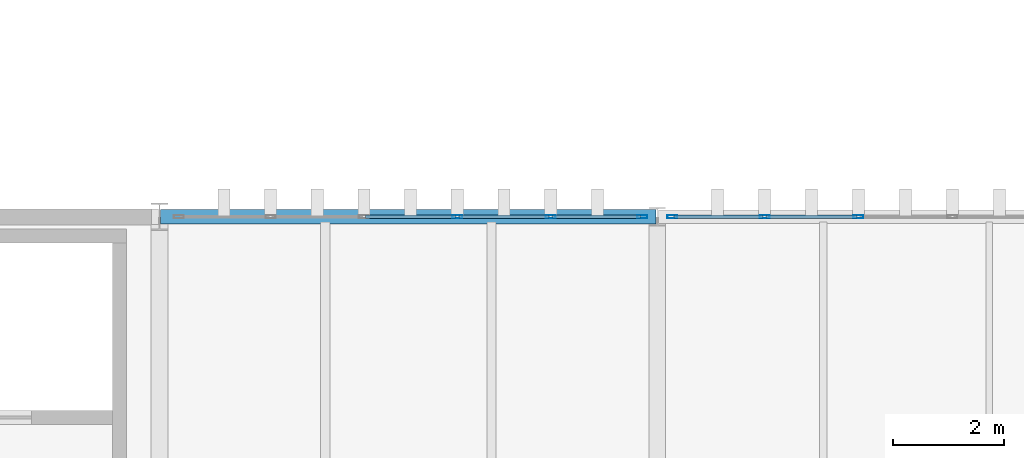
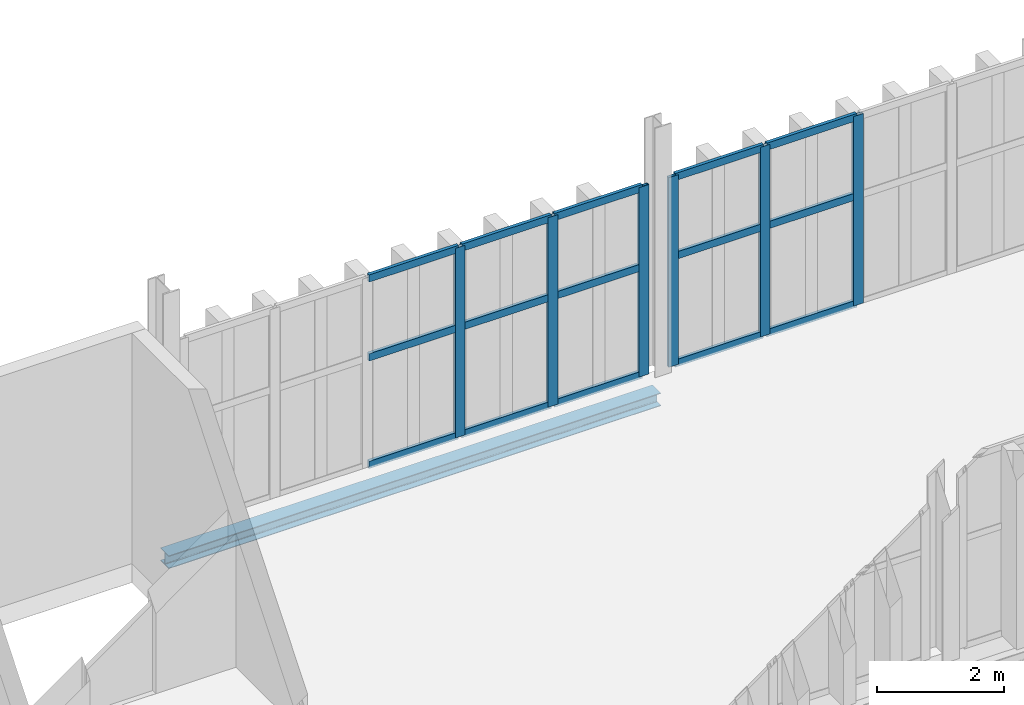
# One storey, part 148 of 196: 21 members, 1 beam, 2 elements without a shape of their own.
"""IFC4 building model written with IfcOpenShell, lengths in metres."""

from ifc_helpers import new_model, si_unit, direction, frame, origin, origin_2d, place, context, subcontext, project, spatial, hollow_rectangle, i_section, extrude, material, layer, layer_set, material_profile, profile_set, type_object, element, aggregate, save


model = new_model("IFC4")

# Units and contexts
model_context = context("Model", 3, precision=1e-05, world=origin(), true_north=direction((0.0, 1.0)))
body_context = subcontext(model_context, "Body", "Model", "MODEL_VIEW")
ifc_project = project(units=[si_unit("LENGTHUNIT", "METRE"), si_unit("AREAUNIT", "SQUARE_METRE"), si_unit("VOLUMEUNIT", "CUBIC_METRE"), si_unit("PLANEANGLEUNIT", "RADIAN"), si_unit("MASSUNIT", "GRAM", prefix="KILO")], contexts=[model_context])

# Site, building, storey
site_placement = place(None, origin())
site = spatial("IfcSite", under=ifc_project, at=site_placement, CompositionType="ELEMENT")
building_placement = place(site_placement, origin())
building = spatial("IfcBuilding", under=site, at=building_placement, Name="Barlavento Convention Centre", CompositionType="ELEMENT")
storey_placement = place(building_placement, frame((0.0, 0.0, 18.0)))
storey = spatial("IfcBuildingStorey", under=building, at=storey_placement, Name="L03", CompositionType="ELEMENT", Elevation=18.0)

# Curtain wall, members
ifc_material_1 = material(Name="Powder-coated aluminium and Low-E glass", Category="aluminium")
ifc_layer = layer(ifc_material_1, 0.179931640625)
ifc_layer_set = layer_set([ifc_layer], Name="ARC-CW-CONF-L03")
curtain_wall_type = type_object("IfcCurtainWallType", Name="ARC-CW-CONF-L03", PredefinedType="NOTDEFINED", material=ifc_layer_set)
curtain_wall_1_placement = place(storey_placement, origin())
curtain_wall_1 = element("IfcCurtainWall", 1, at=curtain_wall_1_placement, inside=storey, type_object=curtain_wall_type, Name="L03 unitised curtain wall CW08", PredefinedType="NOTDEFINED")
ifc_material_2 = material(Name="Powder-coated aluminium", Category="aluminium")
ifc_material_profile_1 = material_profile(ifc_material_2, hollow_rectangle(XDim=0.06005859375, YDim=0.179931640625, WallThickness=0.0048828125, at=origin_2d()), Name="AL-MULL 60x180x5")
ifc_profile_set_1 = profile_set([ifc_material_profile_1], Name="Powder-coated aluminium")
member_type_1 = type_object("IfcMemberType", Name="ARC-CWM-60X180", PredefinedType="MULLION", material=ifc_profile_set_1)
member_1_placement = place(storey_placement, frame((158.384033203125, 99.0, 0.0), z_axis=(0.0, 0.0, 1.0), x_axis=(0.0, 1.0, 0.0)))
member_1 = element("IfcMember", 2, at=member_1_placement, type_object=member_type_1, Name="CW08 mullion 4", PredefinedType="MULLION", context=body_context, shape_type="SweptSolid", body=[
    extrude(hollow_rectangle(XDim=0.06005859375, YDim=0.179931640625, WallThickness=0.0048828125, at=origin_2d()), origin(), (0.0, 0.0, 1.0), 3.64990234375),
])
member_2_placement = place(storey_placement, frame((160.072021484375, 99.0, 0.0), z_axis=(0.0, 0.0, 1.0), x_axis=(0.0, 1.0, 0.0)))
member_2 = element("IfcMember", 3, at=member_2_placement, type_object=member_type_1, Name="CW08 mullion 5", PredefinedType="MULLION", context=body_context, shape_type="SweptSolid", body=[
    extrude(hollow_rectangle(XDim=0.06005859375, YDim=0.179931640625, WallThickness=0.0048828125, at=origin_2d()), origin(), (0.0, 0.0, 1.0), 3.64990234375),
])
member_3_placement = place(storey_placement, frame((161.72998046875, 99.0, 0.0), z_axis=(0.0, 0.0, 1.0), x_axis=(0.0, 1.0, 0.0)))
member_3 = element("IfcMember", 4, at=member_3_placement, type_object=member_type_1, Name="CW08 mullion 6", PredefinedType="MULLION", context=body_context, shape_type="SweptSolid", body=[
    extrude(hollow_rectangle(XDim=0.06005859375, YDim=0.179931640625, WallThickness=0.0048828125, at=origin_2d()), origin(), (0.0, 0.0, 1.0), 3.64990234375),
])

curtain_wall_2_placement = place(storey_placement, origin())
curtain_wall_2 = element("IfcCurtainWall", 5, at=curtain_wall_2_placement, inside=storey, type_object=curtain_wall_type, Name="L03 unitised curtain wall CW08", PredefinedType="NOTDEFINED")
member_4_placement = place(storey_placement, frame((162.27001953125, 99.0, 0.0), z_axis=(0.0, 0.0, 1.0), x_axis=(0.0, 1.0, 0.0)))
member_4 = element("IfcMember", 6, at=member_4_placement, type_object=member_type_1, Name="CW08 mullion 1", PredefinedType="MULLION", context=body_context, shape_type="SweptSolid", body=[
    extrude(hollow_rectangle(XDim=0.06005859375, YDim=0.179931640625, WallThickness=0.0048828125, at=origin_2d()), origin(), (0.0, 0.0, 1.0), 3.64990234375),
])
member_5_placement = place(storey_placement, frame((163.93798828125, 99.0, 0.0), z_axis=(0.0, 0.0, 1.0), x_axis=(0.0, 1.0, 0.0)))
member_5 = element("IfcMember", 7, at=member_5_placement, type_object=member_type_1, Name="CW08 mullion 2", PredefinedType="MULLION", context=body_context, shape_type="SweptSolid", body=[
    extrude(hollow_rectangle(XDim=0.06005859375, YDim=0.179931640625, WallThickness=0.0048828125, at=origin_2d()), origin(), (0.0, 0.0, 1.0), 3.64990234375),
])
member_6_placement = place(storey_placement, frame((165.635986328125, 99.0, 0.0), z_axis=(0.0, 0.0, 1.0), x_axis=(0.0, 1.0, 0.0)))
member_6 = element("IfcMember", 8, at=member_6_placement, type_object=member_type_1, Name="CW08 mullion 3", PredefinedType="MULLION", context=body_context, shape_type="SweptSolid", body=[
    extrude(hollow_rectangle(XDim=0.06005859375, YDim=0.179931640625, WallThickness=0.0048828125, at=origin_2d()), origin(), (0.0, 0.0, 1.0), 3.64990234375),
])

# Member
ifc_material_profile_2 = material_profile(ifc_material_2, hollow_rectangle(XDim=0.06005859375, YDim=0.139892578125, WallThickness=0.00390625, at=origin_2d()), Name="AL-TRAN 60x140x4")
ifc_profile_set_2 = profile_set([ifc_material_profile_2], Name="Powder-coated aluminium")
member_type_2 = type_object("IfcMemberType", Name="ARC-CWT-60X140", PredefinedType="USERDEFINED", material=ifc_profile_set_2)
member_7_placement = place(storey_placement, frame((156.72607421875, 99.0, 0.030029296875), z_axis=(1.0, 0.0, 0.0), x_axis=(0.0, 1.0, 0.0)))
member_7 = element("IfcMember", 9, at=member_7_placement, type_object=member_type_2, Name="CW08 transom 3.1", ObjectType="TRANSOM", PredefinedType="USERDEFINED", context=body_context, shape_type="SweptSolid", body=[
    extrude(hollow_rectangle(XDim=0.06005859375, YDim=0.139892578125, WallThickness=0.00390625, at=origin_2d()), origin(), (0.0, 0.0, 1.0), 1.6279296875),
])

member_8_placement = place(storey_placement, frame((156.72607421875, 99.0, 2.10009765625), z_axis=(1.0, 0.0, 0.0), x_axis=(0.0, 1.0, 0.0)))
member_8 = element("IfcMember", 10, at=member_8_placement, type_object=member_type_2, Name="CW08 transom 3.2", ObjectType="TRANSOM", PredefinedType="USERDEFINED", context=body_context, shape_type="SweptSolid", body=[
    extrude(hollow_rectangle(XDim=0.06005859375, YDim=0.139892578125, WallThickness=0.00390625, at=origin_2d()), origin(), (0.0, 0.0, 1.0), 1.6279296875),
])

member_9_placement = place(storey_placement, frame((156.72607421875, 99.0, 3.6201171875), z_axis=(1.0, 0.0, 0.0), x_axis=(0.0, 1.0, 0.0)))
member_9 = element("IfcMember", 11, at=member_9_placement, type_object=member_type_2, Name="CW08 transom 3.3", ObjectType="TRANSOM", PredefinedType="USERDEFINED", context=body_context, shape_type="SweptSolid", body=[
    extrude(hollow_rectangle(XDim=0.06005859375, YDim=0.139892578125, WallThickness=0.00390625, at=origin_2d()), origin(), (0.0, 0.0, 1.0), 1.6279296875),
])

member_10_placement = place(storey_placement, frame((158.4140625, 99.0, 0.030029296875), z_axis=(1.0, 0.0, 0.0), x_axis=(0.0, 1.0, 0.0)))
member_10 = element("IfcMember", 12, at=member_10_placement, type_object=member_type_2, Name="CW08 transom 4.1", ObjectType="TRANSOM", PredefinedType="USERDEFINED", context=body_context, shape_type="SweptSolid", body=[
    extrude(hollow_rectangle(XDim=0.06005859375, YDim=0.139892578125, WallThickness=0.00390625, at=origin_2d()), origin(), (0.0, 0.0, 1.0), 1.6279296875),
])

member_11_placement = place(storey_placement, frame((158.4140625, 99.0, 2.10009765625), z_axis=(1.0, 0.0, 0.0), x_axis=(0.0, 1.0, 0.0)))
member_11 = element("IfcMember", 13, at=member_11_placement, type_object=member_type_2, Name="CW08 transom 4.2", ObjectType="TRANSOM", PredefinedType="USERDEFINED", context=body_context, shape_type="SweptSolid", body=[
    extrude(hollow_rectangle(XDim=0.06005859375, YDim=0.139892578125, WallThickness=0.00390625, at=origin_2d()), origin(), (0.0, 0.0, 1.0), 1.6279296875),
])

member_12_placement = place(storey_placement, frame((158.4140625, 99.0, 3.6201171875), z_axis=(1.0, 0.0, 0.0), x_axis=(0.0, 1.0, 0.0)))
member_12 = element("IfcMember", 14, at=member_12_placement, type_object=member_type_2, Name="CW08 transom 4.3", ObjectType="TRANSOM", PredefinedType="USERDEFINED", context=body_context, shape_type="SweptSolid", body=[
    extrude(hollow_rectangle(XDim=0.06005859375, YDim=0.139892578125, WallThickness=0.00390625, at=origin_2d()), origin(), (0.0, 0.0, 1.0), 1.6279296875),
])

member_13_placement = place(storey_placement, frame((160.10205078125, 99.0, 0.030029296875), z_axis=(1.0, 0.0, 0.0), x_axis=(0.0, 1.0, 0.0)))
member_13 = element("IfcMember", 15, at=member_13_placement, type_object=member_type_2, Name="CW08 transom 5.1", ObjectType="TRANSOM", PredefinedType="USERDEFINED", context=body_context, shape_type="SweptSolid", body=[
    extrude(hollow_rectangle(XDim=0.06005859375, YDim=0.139892578125, WallThickness=0.00390625, at=origin_2d()), origin(), (0.0, 0.0, 1.0), 1.597900390625),
])

member_14_placement = place(storey_placement, frame((160.10205078125, 99.0, 2.10009765625), z_axis=(1.0, 0.0, 0.0), x_axis=(0.0, 1.0, 0.0)))
member_14 = element("IfcMember", 16, at=member_14_placement, type_object=member_type_2, Name="CW08 transom 5.2", ObjectType="TRANSOM", PredefinedType="USERDEFINED", context=body_context, shape_type="SweptSolid", body=[
    extrude(hollow_rectangle(XDim=0.06005859375, YDim=0.139892578125, WallThickness=0.00390625, at=origin_2d()), origin(), (0.0, 0.0, 1.0), 1.597900390625),
])

member_15_placement = place(storey_placement, frame((160.10205078125, 99.0, 3.6201171875), z_axis=(1.0, 0.0, 0.0), x_axis=(0.0, 1.0, 0.0)))
member_15 = element("IfcMember", 17, at=member_15_placement, type_object=member_type_2, Name="CW08 transom 5.3", ObjectType="TRANSOM", PredefinedType="USERDEFINED", context=body_context, shape_type="SweptSolid", body=[
    extrude(hollow_rectangle(XDim=0.06005859375, YDim=0.139892578125, WallThickness=0.00390625, at=origin_2d()), origin(), (0.0, 0.0, 1.0), 1.597900390625),
])

aggregate(curtain_wall_1, [member_1, member_2, member_3, member_7, member_8, member_9, member_10, member_11, member_12, member_13, member_14, member_15])

member_16_placement = place(storey_placement, frame((162.300048828125, 99.0, 0.030029296875), z_axis=(1.0, 0.0, 0.0), x_axis=(0.0, 1.0, 0.0)))
member_16 = element("IfcMember", 18, at=member_16_placement, type_object=member_type_2, Name="CW08 transom 1.1", ObjectType="TRANSOM", PredefinedType="USERDEFINED", context=body_context, shape_type="SweptSolid", body=[
    extrude(hollow_rectangle(XDim=0.06005859375, YDim=0.139892578125, WallThickness=0.00390625, at=origin_2d()), origin(), (0.0, 0.0, 1.0), 1.60791015625),
])

member_17_placement = place(storey_placement, frame((162.300048828125, 99.0, 2.10009765625), z_axis=(1.0, 0.0, 0.0), x_axis=(0.0, 1.0, 0.0)))
member_17 = element("IfcMember", 19, at=member_17_placement, type_object=member_type_2, Name="CW08 transom 1.2", ObjectType="TRANSOM", PredefinedType="USERDEFINED", context=body_context, shape_type="SweptSolid", body=[
    extrude(hollow_rectangle(XDim=0.06005859375, YDim=0.139892578125, WallThickness=0.00390625, at=origin_2d()), origin(), (0.0, 0.0, 1.0), 1.60791015625),
])

member_18_placement = place(storey_placement, frame((162.300048828125, 99.0, 3.6201171875), z_axis=(1.0, 0.0, 0.0), x_axis=(0.0, 1.0, 0.0)))
member_18 = element("IfcMember", 20, at=member_18_placement, type_object=member_type_2, Name="CW08 transom 1.3", ObjectType="TRANSOM", PredefinedType="USERDEFINED", context=body_context, shape_type="SweptSolid", body=[
    extrude(hollow_rectangle(XDim=0.06005859375, YDim=0.139892578125, WallThickness=0.00390625, at=origin_2d()), origin(), (0.0, 0.0, 1.0), 1.60791015625),
])

member_19_placement = place(storey_placement, frame((163.968017578125, 99.0, 0.030029296875), z_axis=(1.0, 0.0, 0.0), x_axis=(0.0, 1.0, 0.0)))
member_19 = element("IfcMember", 21, at=member_19_placement, type_object=member_type_2, Name="CW08 transom 2.1", ObjectType="TRANSOM", PredefinedType="USERDEFINED", context=body_context, shape_type="SweptSolid", body=[
    extrude(hollow_rectangle(XDim=0.06005859375, YDim=0.139892578125, WallThickness=0.00390625, at=origin_2d()), origin(), (0.0, 0.0, 1.0), 1.637939453125),
])

member_20_placement = place(storey_placement, frame((163.968017578125, 99.0, 2.10009765625), z_axis=(1.0, 0.0, 0.0), x_axis=(0.0, 1.0, 0.0)))
member_20 = element("IfcMember", 22, at=member_20_placement, type_object=member_type_2, Name="CW08 transom 2.2", ObjectType="TRANSOM", PredefinedType="USERDEFINED", context=body_context, shape_type="SweptSolid", body=[
    extrude(hollow_rectangle(XDim=0.06005859375, YDim=0.139892578125, WallThickness=0.00390625, at=origin_2d()), origin(), (0.0, 0.0, 1.0), 1.637939453125),
])

member_21_placement = place(storey_placement, frame((163.968017578125, 99.0, 3.6201171875), z_axis=(1.0, 0.0, 0.0), x_axis=(0.0, 1.0, 0.0)))
member_21 = element("IfcMember", 23, at=member_21_placement, type_object=member_type_2, Name="CW08 transom 2.3", ObjectType="TRANSOM", PredefinedType="USERDEFINED", context=body_context, shape_type="SweptSolid", body=[
    extrude(hollow_rectangle(XDim=0.06005859375, YDim=0.139892578125, WallThickness=0.00390625, at=origin_2d()), origin(), (0.0, 0.0, 1.0), 1.637939453125),
])

aggregate(curtain_wall_2, [member_4, member_5, member_6, member_16, member_17, member_18, member_19, member_20, member_21])

# Beam
ifc_material_3 = material(Name="Steel S355", Category="steel")
ifc_material_profile_3 = material_profile(ifc_material_3, i_section(OverallWidth=0.260009765625, OverallDepth=0.25, WebThickness=0.007568359375, FlangeThickness=0.012451171875, FilletRadius=0.02392578125, at=origin_2d()), Name="HEA 260")
ifc_profile_set_3 = profile_set([ifc_material_profile_3], Name="Steel S355")
beam_type = type_object("IfcBeamType", Name="STR-BM-SPN-HEA260", PredefinedType="SPANDREL", material=ifc_profile_set_3)
beam_placement = place(storey_placement, frame((153.02001953125, 99.0, -0.485107421875), z_axis=(1.0, 0.0, 0.0), x_axis=(0.0, 1.0, 0.0)))
element("IfcBeam", 24, at=beam_placement, inside=storey, type_object=beam_type, Name="L03 primary girder SP04", PredefinedType="SPANDREL", context=body_context, shape_type="SweptSolid", body=[
    extrude(i_section(OverallWidth=0.260009765625, OverallDepth=0.25, WebThickness=0.007568359375, FlangeThickness=0.012451171875, FilletRadius=0.02392578125, at=origin_2d()), origin(), (0.0, 0.0, 1.0), 8.9599609375),
])

save(model, "model.ifc")
